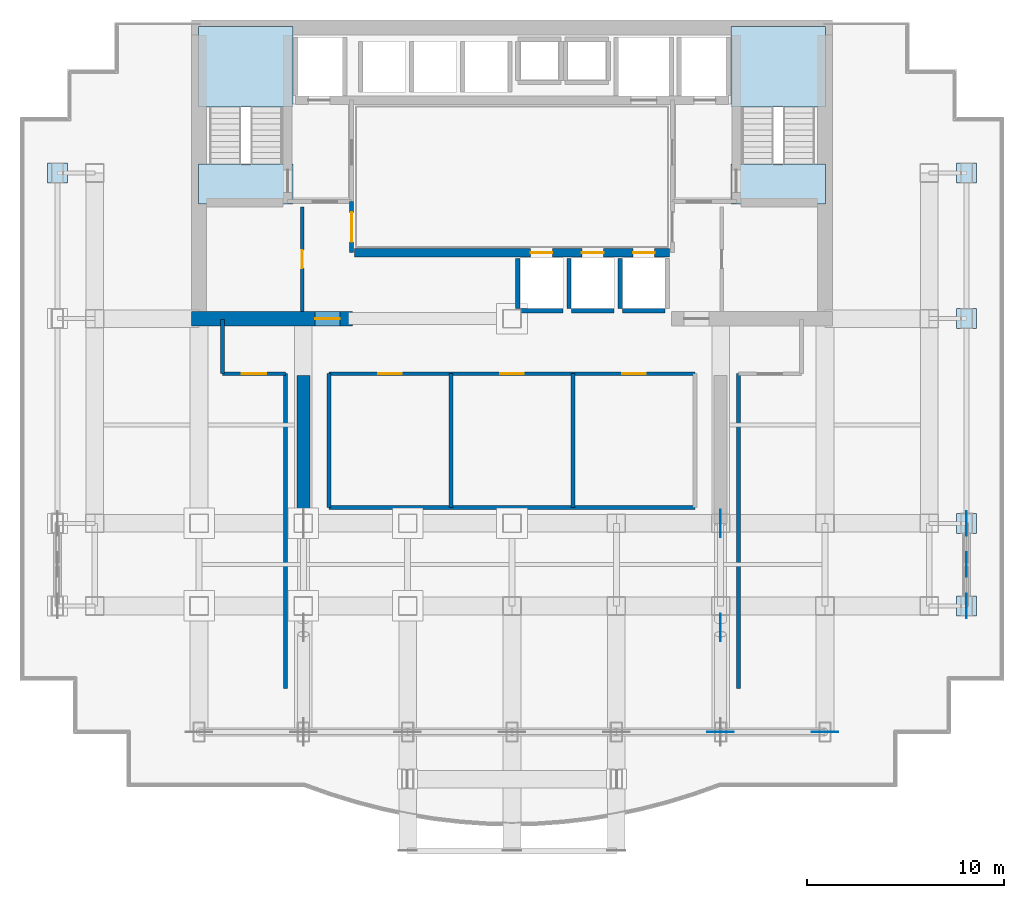
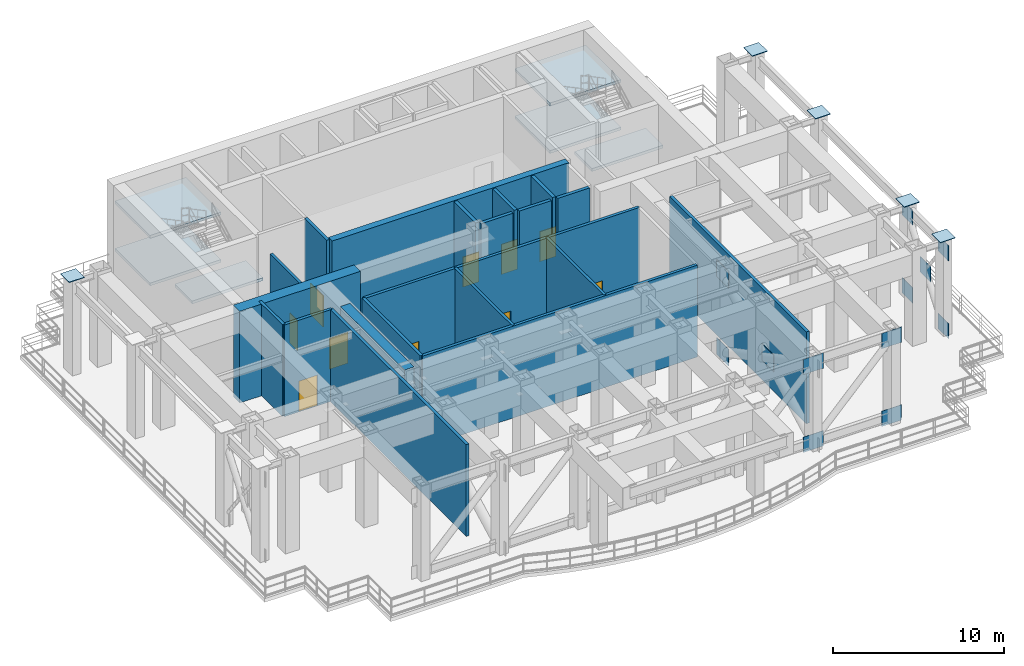
# One storey, part 3 of 8: 20 walls, 17 plates, 10 doors, 6 slabs, 10 openings, 2 elements without a shape of their own.
"""IFC4 building model written with IfcOpenShell, lengths in metres."""

from ifc_helpers import new_model, si_unit, direction, frame, frame_2d, origin, origin_2d, place, context, subcontext, project, spatial, polyline, rectangle, outline, extrude, source, transform, mapped, material, layer, layer_set, type_object, element, fill, aggregate, save


model = new_model("IFC4")

# Units and contexts
model_context = context("Model", 3, precision=1e-05, world=origin(), true_north=direction((0.0, 1.0)))
body_context = subcontext(model_context, "Body", "Model", "MODEL_VIEW")
ifc_project = project(units=[si_unit("LENGTHUNIT", "METRE"), si_unit("AREAUNIT", "SQUARE_METRE"), si_unit("VOLUMEUNIT", "CUBIC_METRE"), si_unit("PLANEANGLEUNIT", "RADIAN"), si_unit("MASSUNIT", "GRAM", prefix="KILO")], contexts=[model_context])

# Site, building, storey
site_placement = place(None, origin())
site = spatial("IfcSite", under=ifc_project, at=site_placement, CompositionType="ELEMENT")
building_placement = place(site_placement, origin())
building = spatial("IfcBuilding", under=site, at=building_placement, Name="Qianlan Lanfeng Residences", CompositionType="ELEMENT")
storey_placement = place(building_placement, frame((0.0, 0.0, 127.89990234375)))
storey = spatial("IfcBuildingStorey", under=building, at=storey_placement, Name="L35", CompositionType="ELEMENT", Elevation=127.89990234375)

# Stair, slabs
ifc_material_1 = material(Name="Concrete C42", Category="concrete")
stair_type = type_object("IfcStairType", Name="STR-MAIN", PredefinedType="HALF_TURN_STAIR", material=ifc_material_1)
stair_1_placement = place(storey_placement, origin())
stair_1 = element("IfcStair", 1, at=stair_1_placement, inside=storey, type_object=stair_type, Name="L35 Exit Stair ST-1", PredefinedType="HALF_TURN_STAIR")
ifc_layer_1 = layer(ifc_material_1, 0.179931640625)
ifc_layer_set_1 = layer_set([ifc_layer_1], Name="Concrete C42")
slab_type = type_object("IfcSlabType", Name="S-LND-180", PredefinedType="LANDING", material=ifc_layer_set_1)
slab_1_placement = place(storey_placement, frame((0.0, 0.0, 1.5)))
slab_1 = element("IfcSlab", 2, at=slab_1_placement, type_object=slab_type, Name="ST-1 landing 1", PredefinedType="LANDING", context=body_context, shape_type="SweptSolid", body=[
    extrude(outline(polyline([(10.580078125, 35.949951171875), (15.3798828125, 35.949951171875), (15.3798828125, 40.050048828125), (10.580078125, 40.050048828125), (10.580078125, 35.949951171875)])), origin(), (0.0, 0.0, 1.0), 0.2001953125),
])
slab_2_placement = place(storey_placement, frame((0.0, 0.0, 3.2001953125)))
slab_2 = element("IfcSlab", 3, at=slab_2_placement, type_object=slab_type, Name="ST-1 landing 2", PredefinedType="LANDING", context=body_context, shape_type="SweptSolid", body=[
    extrude(outline(polyline([(10.580078125, 31.02001953125), (15.3798828125, 31.02001953125), (15.3798828125, 33.050048828125), (10.580078125, 33.050048828125), (10.580078125, 31.02001953125)])), origin(), (0.0, 0.0, 1.0), 0.199951171875),
])
slab_3_placement = place(storey_placement, frame((0.0, 0.0, 4.900146484375)))
slab_3 = element("IfcSlab", 4, at=slab_3_placement, type_object=slab_type, Name="ST-1 landing 3", PredefinedType="LANDING", context=body_context, shape_type="SweptSolid", body=[
    extrude(outline(polyline([(10.580078125, 35.949951171875), (15.3798828125, 35.949951171875), (15.3798828125, 40.050048828125), (10.580078125, 40.050048828125), (10.580078125, 35.949951171875)])), origin(), (0.0, 0.0, 1.0), 0.199951171875),
])
aggregate(stair_1, [slab_1, slab_2, slab_3])

stair_2_placement = place(storey_placement, origin())
stair_2 = element("IfcStair", 5, at=stair_2_placement, inside=storey, type_object=stair_type, Name="L35 Exit Stair ST-2", PredefinedType="HALF_TURN_STAIR")
slab_4_placement = place(storey_placement, frame((0.0, 0.0, 1.5)))
slab_4 = element("IfcSlab", 6, at=slab_4_placement, type_object=slab_type, Name="ST-2 landing 1", PredefinedType="LANDING", context=body_context, shape_type="SweptSolid", body=[
    extrude(outline(polyline([(37.6201171875, 35.949951171875), (42.419921875, 35.949951171875), (42.419921875, 40.050048828125), (37.6201171875, 40.050048828125), (37.6201171875, 35.949951171875)])), origin(), (0.0, 0.0, 1.0), 0.2001953125),
])
slab_5_placement = place(storey_placement, frame((0.0, 0.0, 3.2001953125)))
slab_5 = element("IfcSlab", 7, at=slab_5_placement, type_object=slab_type, Name="ST-2 landing 2", PredefinedType="LANDING", context=body_context, shape_type="SweptSolid", body=[
    extrude(outline(polyline([(37.6201171875, 31.02001953125), (42.419921875, 31.02001953125), (42.419921875, 33.050048828125), (37.6201171875, 33.050048828125), (37.6201171875, 31.02001953125)])), origin(), (0.0, 0.0, 1.0), 0.199951171875),
])
slab_6_placement = place(storey_placement, frame((0.0, 0.0, 4.900146484375)))
slab_6 = element("IfcSlab", 8, at=slab_6_placement, type_object=slab_type, Name="ST-2 landing 3", PredefinedType="LANDING", context=body_context, shape_type="SweptSolid", body=[
    extrude(outline(polyline([(37.6201171875, 35.949951171875), (42.419921875, 35.949951171875), (42.419921875, 40.050048828125), (37.6201171875, 40.050048828125), (37.6201171875, 35.949951171875)])), origin(), (0.0, 0.0, 1.0), 0.199951171875),
])
aggregate(stair_2, [slab_4, slab_5, slab_6])

# Plates
ifc_material_2 = material(Name="Steel SM570 (420 MPa)", Category="steel")
ifc_layer_2 = layer(ifc_material_2, 0.0400390625)
ifc_layer_set_2 = layer_set([ifc_layer_2], Name="Steel SM570 (420 MPa)")
plate_type_1 = type_object("IfcPlateType", Name="PL-CAP-40", PredefinedType="USERDEFINED", material=ifc_layer_set_2)
shared_shape_1 = source(origin(), body_context, "Body", "SweptSolid", [
    extrude(rectangle(XDim=1.02001953125, YDim=1.02001953125, at=origin_2d()), origin(), (0.0, 0.0, 1.0), 0.0400390625),
])
for number, where, z_axis, x_axis, name in (
    (9, (3.39990234375, 32.60009765625, 6.760009765625), (0.0, 0.0, 1.0), (1.0, 0.0, 0.0), "L35 Box Column Top Closure Cap Plate W_3.40_32.60"),
    (10, (49.60009765625, 10.60009765625, 6.760009765625), (0.0, 0.0, 1.0), (1.0, 0.0, 0.0), "L35 Box Column Top Closure Cap Plate W_49.60_10.60"),
    (11, (49.60009765625, 14.800048828125, 6.760009765625), (0.0, 0.0, 1.0), (1.0, 0.0, 0.0), "L35 Box Column Top Closure Cap Plate W_49.60_14.80"),
    (12, (49.60009765625, 25.199951171875, 6.760009765625), (0.0, 0.0, 1.0), (1.0, 0.0, 0.0), "L35 Box Column Top Closure Cap Plate W_49.60_25.20"),
    (13, (49.60009765625, 32.60009765625, 6.760009765625), (0.0, 0.0, 1.0), (1.0, 0.0, 0.0), "L35 Box Column Top Closure Cap Plate W_49.60_32.60"),
):
    element("IfcPlate", number, at=place(storey_placement, frame(where, z_axis=z_axis, x_axis=x_axis)), inside=storey, type_object=plate_type_1, Name=name, ObjectType="SPLICE_PLATE", PredefinedType="USERDEFINED", context=body_context, shape_type="MappedRepresentation", body=[
        mapped(shared_shape_1, transform((0.0, 0.0, 0.0), scale=1.0)),
    ])
ifc_material_3 = material(Name="Steel SN490B", Category="steel")
ifc_layer_3 = layer(ifc_material_3, 0.035888671875)
ifc_layer_set_3 = layer_set([ifc_layer_3], Name="Steel SN490B")
plate_type_2 = type_object("IfcPlateType", Name="NP-GUS-36", PredefinedType="USERDEFINED", material=ifc_layer_set_3)
shared_shape_2 = source(origin(), body_context, "Body", "SweptSolid", [
    extrude(rectangle(XDim=0.035888671875, YDim=1.39990234375, at=origin_2d()), origin(), (0.0, 0.0, 1.0), 1.199951171875),
])
for number, where, z_axis, x_axis, name in (
    (14, (37.10009765625, 9.5, 2.5302734375), (0.0, 0.0, 1.0), (1.0, 0.0, 0.0), "L35 Outrigger X-Brace Central Gusset Plate G8-XC"),
    (15, (37.10009765625, 14.800048828125, -0.25), (0.0, 0.0, 1.0), (1.0, 0.0, 0.0), "L35 Outrigger End Gusset Plate G8-NB"),
    (16, (37.10009765625, 14.800048828125, 5.31005859375), (0.0, 0.0, 1.0), (1.0, 0.0, 0.0), "L35 Outrigger End Gusset Plate G8-NT"),
):
    element("IfcPlate", number, at=place(storey_placement, frame(where, z_axis=z_axis, x_axis=x_axis)), inside=storey, type_object=plate_type_2, Name=name, ObjectType="GUSSET", PredefinedType="USERDEFINED", context=body_context, shape_type="MappedRepresentation", body=[
        mapped(shared_shape_2, transform((0.0, 0.0, 0.0), scale=1.0)),
    ])
ifc_layer_4 = layer(ifc_material_3, 0.028076171875)
ifc_layer_set_4 = layer_set([ifc_layer_4], Name="Steel SN490B")
plate_type_3 = type_object("IfcPlateType", Name="NP-GUS-28", PredefinedType="USERDEFINED", material=ifc_layer_set_4)
shared_shape_3 = source(origin(), body_context, "Body", "SweptSolid", [
    extrude(rectangle(XDim=1.35009765625, YDim=0.028076171875, at=origin_2d()), origin(), (0.0, 0.0, 1.0), 1.10009765625),
])
for number, where, z_axis, x_axis, name in (
    (17, (37.10009765625, 4.199951171875, -0.199951171875), (0.0, 0.0, 1.0), (1.0, 0.0, 0.0), "L35 Belt Truss End Gusset Plate B6"),
    (18, (37.10009765625, 4.199951171875, 5.360107421875), (0.0, 0.0, 1.0), (1.0, 0.0, 0.0), "L35 Belt Truss End Gusset Plate T6"),
    (19, (42.39990234375, 4.199951171875, -0.199951171875), (0.0, 0.0, 1.0), (1.0, 0.0, 0.0), "L35 Belt Truss End Gusset Plate B7"),
    (20, (42.39990234375, 4.199951171875, 5.360107421875), (0.0, 0.0, 1.0), (1.0, 0.0, 0.0), "L35 Belt Truss End Gusset Plate T7"),
):
    element("IfcPlate", number, at=place(storey_placement, frame(where, z_axis=z_axis, x_axis=x_axis)), inside=storey, type_object=plate_type_3, Name=name, ObjectType="GUSSET", PredefinedType="USERDEFINED", context=body_context, shape_type="MappedRepresentation", body=[
        mapped(shared_shape_3, transform((0.0, 0.0, 0.0), scale=1.0)),
    ])
ifc_layer_5 = layer(ifc_material_3, 0.028076171875)
ifc_layer_set_5 = layer_set([ifc_layer_5], Name="Steel SN490B")
plate_type_4 = type_object("IfcPlateType", Name="NP-GUS-24", PredefinedType="USERDEFINED", material=ifc_layer_set_5)
shared_shape_4 = source(origin(), body_context, "Body", "SweptSolid", [
    extrude(rectangle(XDim=0.028076171875, YDim=1.25, at=origin_2d()), origin(), (0.0, 0.0, 1.0), 1.10009765625),
])
for number, where, z_axis, x_axis, name in (
    (21, (49.60009765625, 12.699951171875, 2.580078125), (0.0, 0.0, 1.0), (1.0, 0.0, 0.0), "L35 E Portal X-Brace Central Gusset Plate"),
    (22, (49.60009765625, 10.60009765625, -0.199951171875), (0.0, 0.0, 1.0), (1.0, 0.0, 0.0), "L35 E Portal End Gusset Plate SB"),
    (23, (49.60009765625, 10.60009765625, 5.360107421875), (0.0, 0.0, 1.0), (1.0, 0.0, 0.0), "L35 E Portal End Gusset Plate ST"),
    (24, (49.60009765625, 14.800048828125, -0.199951171875), (0.0, 0.0, 1.0), (1.0, 0.0, 0.0), "L35 E Portal End Gusset Plate NB"),
    (25, (49.60009765625, 14.800048828125, 5.360107421875), (0.0, 0.0, 1.0), (1.0, 0.0, 0.0), "L35 E Portal End Gusset Plate NT"),
):
    element("IfcPlate", number, at=place(storey_placement, frame(where, z_axis=z_axis, x_axis=x_axis)), inside=storey, type_object=plate_type_4, Name=name, ObjectType="GUSSET", PredefinedType="USERDEFINED", context=body_context, shape_type="MappedRepresentation", body=[
        mapped(shared_shape_4, transform((0.0, 0.0, 0.0), scale=1.0)),
    ])

# Wall, openings, doors
ifc_material_4 = material(Name="Concrete C60", Category="concrete")
ifc_layer_6 = layer(ifc_material_4, 0.449951171875)
ifc_layer_set_6 = layer_set([ifc_layer_6], Name="Concrete C60")
wall_type_1 = type_object("IfcWallType", Name="CW-RC-450", PredefinedType="SHEAR", material=ifc_layer_set_6)
wall_1_placement = place(storey_placement, frame((18.5, 28.550048828125, 0.0), z_axis=(0.0, 0.0, 1.0), x_axis=(1.0, 0.0, 0.0)))
wall_1 = element("IfcWall", 26, at=wall_1_placement, inside=storey, type_object=wall_type_1, Name="L35 Core Shear Wall LBS", PredefinedType="SHEAR", context=body_context, shape_type="SweptSolid", body=[
    extrude(rectangle(XDim=16.0, YDim=0.449951171875, at=frame_2d((8.0, 0.0))), origin(), (0.0, 0.0, 1.0), 6.56005859375),
])
opening_1_placement = place(wall_1_placement, frame((8.949951171875, 0.0, 0.0)))
opening_1 = element("IfcOpeningElement", 27, at=opening_1_placement, cuts=wall_1, Name="Opening L35-LD-PL-M1", PredefinedType="OPENING", context=body_context, shape_type="SweptSolid", body=[
    extrude(rectangle(XDim=1.10009765625, YDim=2.14990234375, at=frame_2d((0.550048828125, 1.074951171875))), frame((0.0, 0.23486328125, 0.0), z_axis=(0.0, -1.0, 0.0), x_axis=(1.0, 0.0, 0.0)), (0.0, 0.0, 1.0), 0.469970703125),
])
opening_2_placement = place(wall_1_placement, frame((11.550048828125, 0.0, 0.0)))
opening_2 = element("IfcOpeningElement", 28, at=opening_2_placement, cuts=wall_1, Name="Opening L35-LD-PL-M2", PredefinedType="OPENING", context=body_context, shape_type="SweptSolid", body=[
    extrude(rectangle(XDim=1.10009765625, YDim=2.14990234375, at=frame_2d((0.550048828125, 1.074951171875))), frame((0.0, 0.23486328125, 0.0), z_axis=(0.0, -1.0, 0.0), x_axis=(1.0, 0.0, 0.0)), (0.0, 0.0, 1.0), 0.469970703125),
])
opening_3_placement = place(wall_1_placement, frame((14.14990234375, 0.0, 0.0)))
opening_3 = element("IfcOpeningElement", 29, at=opening_3_placement, cuts=wall_1, Name="Opening L35-LD-PL-M3", PredefinedType="OPENING", context=body_context, shape_type="SweptSolid", body=[
    extrude(rectangle(XDim=1.10009765625, YDim=2.14990234375, at=frame_2d((0.550048828125, 1.074951171875))), frame((0.0, 0.23486328125, 0.0), z_axis=(0.0, -1.0, 0.0), x_axis=(1.0, 0.0, 0.0)), (0.0, 0.0, 1.0), 0.469970703125),
])
ifc_material_5 = material(Name="Brushed Stainless Steel Sliding Lift Door", Category="steel")
door_type_1 = type_object("IfcDoorType", Name="LD-01", OperationType="NOTDEFINED", PredefinedType="DOOR", material=ifc_material_5)
door_1_placement = place(opening_1_placement, origin())
door_1 = element("IfcDoor", 30, at=door_1_placement, inside=storey, type_object=door_type_1, Name="L35 Elevator PL-M1 Sliding Landing Door", OperationType="DOUBLE_DOOR_SLIDING", OverallHeight=2.14990234375, OverallWidth=1.10009765625, PredefinedType="DOOR", context=body_context, shape_type="SweptSolid", body=[
    extrude(rectangle(XDim=1.10009765625, YDim=2.14990234375, at=frame_2d((0.550048828125, 1.074951171875))), frame((0.0, 0.02490234375, 0.0), z_axis=(0.0, -1.0, 0.0), x_axis=(1.0, 0.0, 0.0)), (0.0, 0.0, 1.0), 0.050048828125),
])
fill(opening_1, door_1)
door_2_placement = place(opening_2_placement, origin())
door_2 = element("IfcDoor", 31, at=door_2_placement, inside=storey, type_object=door_type_1, Name="L35 Elevator PL-M2 Sliding Landing Door", OperationType="DOUBLE_DOOR_SLIDING", OverallHeight=2.14990234375, OverallWidth=1.10009765625, PredefinedType="DOOR", context=body_context, shape_type="SweptSolid", body=[
    extrude(rectangle(XDim=1.10009765625, YDim=2.14990234375, at=frame_2d((0.550048828125, 1.074951171875))), frame((0.0, 0.02490234375, 0.0), z_axis=(0.0, -1.0, 0.0), x_axis=(1.0, 0.0, 0.0)), (0.0, 0.0, 1.0), 0.050048828125),
])
fill(opening_2, door_2)
door_3_placement = place(opening_3_placement, origin())
door_3 = element("IfcDoor", 32, at=door_3_placement, inside=storey, type_object=door_type_1, Name="L35 Elevator PL-M3 Sliding Landing Door", OperationType="DOUBLE_DOOR_SLIDING", OverallHeight=2.14990234375, OverallWidth=1.10009765625, PredefinedType="DOOR", context=body_context, shape_type="SweptSolid", body=[
    extrude(rectangle(XDim=1.10009765625, YDim=2.14990234375, at=frame_2d((0.550048828125, 1.074951171875))), frame((0.0, 0.02490234375, 0.0), z_axis=(0.0, -1.0, 0.0), x_axis=(1.0, 0.0, 0.0)), (0.0, 0.0, 1.0), 0.050048828125),
])
fill(opening_3, door_3)

# Wall, opening, door
ifc_layer_7 = layer(ifc_material_4, 0.75)
ifc_layer_set_7 = layer_set([ifc_layer_7], Name="Concrete C60")
wall_type_2 = type_object("IfcWallType", Name="CW-RC-750", PredefinedType="SHEAR", material=ifc_layer_set_7)
wall_2_placement = place(storey_placement, frame((10.22509765625, 25.199951171875, 0.0), z_axis=(0.0, 0.0, 1.0), x_axis=(1.0, 0.0, 0.0)))
wall_2 = element("IfcWall", 33, at=wall_2_placement, inside=storey, type_object=wall_type_2, Name="L35 Core Shear Wall SW", PredefinedType="SHEAR", context=body_context, shape_type="SweptSolid", body=[
    extrude(rectangle(XDim=8.1748046875, YDim=0.75, at=frame_2d((4.08740234375, 0.0))), origin(), (0.0, 0.0, 1.0), 6.56005859375),
])
opening_4_placement = place(wall_2_placement, frame((6.27490234375, 0.0, 0.0)))
opening_4 = element("IfcOpeningElement", 34, at=opening_4_placement, cuts=wall_2, Name="Opening L35-D01", PredefinedType="OPENING", context=body_context, shape_type="SweptSolid", body=[
    extrude(rectangle(XDim=1.25, YDim=2.199951171875, at=frame_2d((0.625, 1.10009765625))), frame((0.0, 0.385009765625, 0.0), z_axis=(0.0, -1.0, 0.0), x_axis=(1.0, 0.0, 0.0)), (0.0, 0.0, 1.0), 0.77001953125),
])
ifc_material_6 = material(Name="Painted Galvanised Steel Fire Door", Category="steel")
door_type_2 = type_object("IfcDoorType", Name="DT-FFL", OperationType="NOTDEFINED", PredefinedType="DOOR", material=ifc_material_6)
door_4_placement = place(opening_4_placement, frame((1.25, 0.0, 0.0), z_axis=(0.0, 0.0, 1.0), x_axis=(-1.0, 0.0, 0.0)))
door_4 = element("IfcDoor", 35, at=door_4_placement, inside=storey, type_object=door_type_2, Name="L35 West Core Lobby Smoke Door L35-D01 (DT-FFL)", OperationType="SINGLE_SWING_RIGHT", OverallHeight=2.199951171875, OverallWidth=1.25, PredefinedType="DOOR", context=body_context, shape_type="SweptSolid", body=[
    extrude(rectangle(XDim=1.25, YDim=2.199951171875, at=frame_2d((0.625, 1.10009765625))), frame((0.0, 0.02490234375, 0.0), z_axis=(0.0, -1.0, 0.0), x_axis=(1.0, 0.0, 0.0)), (0.0, 0.0, 1.0), 0.050048828125),
])
fill(opening_4, door_4)

# Wall
ifc_layer_8 = layer(ifc_material_4, 0.64990234375)
ifc_layer_set_8 = layer_set([ifc_layer_8], Name="Concrete C60")
wall_type_3 = type_object("IfcWallType", Name="OW-RC-650", PredefinedType="SHEAR", material=ifc_layer_set_8)
wall_3_placement = place(storey_placement, frame((15.89990234375, 14.800048828125, 0.0), z_axis=(0.0, 0.0, 1.0), x_axis=(0.0, 1.0, 0.0)))
element("IfcWall", 36, at=wall_3_placement, inside=storey, type_object=wall_type_3, Name="L35 Outrigger Shear Wall OW-W", PredefinedType="SHEAR", context=body_context, shape_type="SweptSolid", body=[
    extrude(rectangle(XDim=7.5, YDim=0.64990234375, at=frame_2d((3.75, 0.0))), origin(), (0.0, 0.0, 1.0), 6.56005859375),
])

# Wall, opening, door
ifc_material_7 = material(Name="Double-Layer Acoustic Gypsum Stud Wall 180 mm")
ifc_layer_9 = layer(ifc_material_7, 0.179931640625)
ifc_layer_set_9 = layer_set([ifc_layer_9], Name="Double-Layer Acoustic Gypsum Stud Wall 180 mm")
wall_type_4 = type_object("IfcWallType", Name="PW-180", PredefinedType="PARTITIONING", material=ifc_layer_set_9)
wall_4_placement = place(storey_placement, frame((15.85009765625, 25.574951171875, 0.0), z_axis=(0.0, 0.0, 1.0), x_axis=(0.0, 1.0, 0.0)))
wall_4 = element("IfcWall", 37, at=wall_4_placement, inside=storey, type_object=wall_type_4, Name="L35 Core West Service Room Wall", PredefinedType="PARTITIONING", context=body_context, shape_type="SweptSolid", body=[
    extrude(rectangle(XDim=5.300048828125, YDim=0.179931640625, at=frame_2d((2.64990234375, 0.0))), origin(), (0.0, 0.0, 1.0), 5.05517578125),
])
opening_5_placement = place(wall_4_placement, frame((2.18994140625, 0.0, 0.0)))
opening_5 = element("IfcOpeningElement", 38, at=opening_5_placement, cuts=wall_4, Name="Opening L35-D09", PredefinedType="OPENING", context=body_context, shape_type="SweptSolid", body=[
    extrude(rectangle(XDim=0.919921875, YDim=2.14990234375, at=frame_2d((0.4599609375, 1.074951171875))), frame((0.0, 0.10009765625, 0.0), z_axis=(0.0, -1.0, 0.0), x_axis=(1.0, 0.0, 0.0)), (0.0, 0.0, 1.0), 0.199951171875),
])
ifc_material_8 = material(Name="Glazed Timber Kitchen/Study Door", Category="wood")
door_type_3 = type_object("IfcDoorType", Name="DT-INT", OperationType="NOTDEFINED", PredefinedType="DOOR", material=ifc_material_8)
door_5_placement = place(opening_5_placement, origin())
door_5 = element("IfcDoor", 39, at=door_5_placement, inside=storey, type_object=door_type_3, Name="L35 Core Storage Door L35-D09 (DT-INT)", OperationType="SINGLE_SWING_LEFT", OverallHeight=2.14990234375, OverallWidth=0.919921875, PredefinedType="DOOR", context=body_context, shape_type="SweptSolid", body=[
    extrude(rectangle(XDim=0.919921875, YDim=2.14990234375, at=frame_2d((0.4599609375, 1.074951171875))), frame((0.0, 0.02490234375, 0.0), z_axis=(0.0, -1.0, 0.0), x_axis=(1.0, 0.0, 0.0)), (0.0, 0.0, 1.0), 0.050048828125),
])
fill(opening_5, door_5)

# Walls
for number, where, z_axis, x_axis, name in (
    (40, (23.39990234375, 15.60009765625, 0.0), (0.0, 0.0, 1.0), (0.0, 1.0, 0.0), "L35 Plant Divider 1"),
    (41, (29.60009765625, 15.60009765625, 0.0), (0.0, 0.0, 1.0), (0.0, 1.0, 0.0), "L35 Plant Divider 2"),
):
    element("IfcWall", number, at=place(storey_placement, frame(where, z_axis=z_axis, x_axis=x_axis)), inside=storey, type_object=wall_type_4, Name=name, PredefinedType="PARTITIONING", context=body_context, shape_type="SweptSolid", body=[
        extrude(rectangle(XDim=6.7998046875, YDim=0.179931640625, at=frame_2d((3.39990234375, 0.0))), origin(), (0.0, 0.0, 1.0), 6.56005859375),
    ])

# Wall, opening, door
ifc_material_9 = material(Name="Autoclaved Aerated Concrete Blockwork 200 mm", Category="masonry")
ifc_layer_10 = layer(ifc_material_9, 0.199951171875)
ifc_layer_set_10 = layer_set([ifc_layer_10], Name="Autoclaved Aerated Concrete Blockwork 200 mm")
wall_type_5 = type_object("IfcWallType", Name="PW-200", PredefinedType="PARTITIONING", material=ifc_layer_set_10)
wall_5_placement = place(storey_placement, frame((18.35009765625, 28.550048828125, 0.0), z_axis=(0.0, 0.0, 1.0), x_axis=(0.0, 1.0, 0.0)))
wall_5 = element("IfcWall", 42, at=wall_5_placement, inside=storey, type_object=wall_type_5, Name="L35 Lift Lobby West Connector Wall", PredefinedType="PARTITIONING", context=body_context, shape_type="SweptSolid", body=[
    extrude(rectangle(XDim=2.599853515625, YDim=0.199951171875, at=frame_2d((1.2998046875, 0.0))), origin(), (0.0, 0.0, 1.0), 6.56005859375),
])
opening_6_placement = place(wall_5_placement, frame((0.550048828125, 0.0, 0.0)))
opening_6 = element("IfcOpeningElement", 43, at=opening_6_placement, cuts=wall_5, Name="Opening L35-D11", PredefinedType="OPENING", context=body_context, shape_type="SweptSolid", body=[
    extrude(rectangle(XDim=1.5, YDim=2.25, at=frame_2d((0.75, 1.125))), frame((0.0, 0.10986328125, 0.0), z_axis=(0.0, -1.0, 0.0), x_axis=(1.0, 0.0, 0.0)), (0.0, 0.0, 1.0), 0.219970703125),
])
ifc_material_10 = material(Name="Timber Veneer Acoustic Fire Door", Category="wood")
door_type_4 = type_object("IfcDoorType", Name="DT-COR1", OperationType="NOTDEFINED", PredefinedType="DOOR", material=ifc_material_10)
door_6_placement = place(opening_6_placement, origin())
door_6 = element("IfcDoor", 44, at=door_6_placement, inside=storey, type_object=door_type_4, Name="L35 Lift Lobby West Portal Door L35-D11 (DT-COR1)", OperationType="DOUBLE_DOOR_SINGLE_SWING", OverallHeight=2.25, OverallWidth=1.5, PredefinedType="DOOR", context=body_context, shape_type="SweptSolid", body=[
    extrude(rectangle(XDim=1.5, YDim=2.25, at=frame_2d((0.75, 1.125))), frame((0.0, 0.02490234375, 0.0), z_axis=(0.0, -1.0, 0.0), x_axis=(1.0, 0.0, 0.0)), (0.0, 0.0, 1.0), 0.050048828125),
])
fill(opening_6, door_6)

# Wall, openings, doors
wall_6_placement = place(storey_placement, frame((17.199951171875, 22.39990234375, 0.0), z_axis=(0.0, 0.0, 1.0), x_axis=(1.0, 0.0, 0.0)))
wall_6 = element("IfcWall", 45, at=wall_6_placement, inside=storey, type_object=wall_type_5, Name="L35 Plant Block North Wall", PredefinedType="PARTITIONING", context=body_context, shape_type="SweptSolid", body=[
    extrude(rectangle(XDim=18.60009765625, YDim=0.199951171875, at=frame_2d((9.300048828125, 0.0))), origin(), (0.0, 0.0, 1.0), 6.56005859375),
])
opening_7_placement = place(wall_6_placement, frame((2.5, 0.0, 0.0)))
opening_7 = element("IfcOpeningElement", 46, at=opening_7_placement, cuts=wall_6, Name="Opening L35-D13", PredefinedType="OPENING", context=body_context, shape_type="SweptSolid", body=[
    extrude(rectangle(XDim=1.199951171875, YDim=2.199951171875, at=frame_2d((0.60009765625, 1.10009765625))), frame((0.0, 0.10986328125, 0.0), z_axis=(0.0, -1.0, 0.0), x_axis=(1.0, 0.0, 0.0)), (0.0, 0.0, 1.0), 0.219970703125),
])
opening_8_placement = place(wall_6_placement, frame((8.699951171875, 0.0, 0.0)))
opening_8 = element("IfcOpeningElement", 47, at=opening_8_placement, cuts=wall_6, Name="Opening L35-D14", PredefinedType="OPENING", context=body_context, shape_type="SweptSolid", body=[
    extrude(rectangle(XDim=1.199951171875, YDim=2.199951171875, at=frame_2d((0.60009765625, 1.10009765625))), frame((0.0, 0.10986328125, 0.0), z_axis=(0.0, -1.0, 0.0), x_axis=(1.0, 0.0, 0.0)), (0.0, 0.0, 1.0), 0.219970703125),
])
opening_9_placement = place(wall_6_placement, frame((14.89990234375, 0.0, 0.0)))
opening_9 = element("IfcOpeningElement", 48, at=opening_9_placement, cuts=wall_6, Name="Opening L35-D15", PredefinedType="OPENING", context=body_context, shape_type="SweptSolid", body=[
    extrude(rectangle(XDim=1.199951171875, YDim=2.199951171875, at=frame_2d((0.60009765625, 1.10009765625))), frame((0.0, 0.10986328125, 0.0), z_axis=(0.0, -1.0, 0.0), x_axis=(1.0, 0.0, 0.0)), (0.0, 0.0, 1.0), 0.219970703125),
])
ifc_material_11 = material(Name="Painted Galvanised Steel Plant Door", Category="steel")
door_type_5 = type_object("IfcDoorType", Name="DT-PLT", OperationType="NOTDEFINED", PredefinedType="DOOR", material=ifc_material_11)
door_7_placement = place(opening_7_placement, origin())
door_7 = element("IfcDoor", 49, at=door_7_placement, inside=storey, type_object=door_type_5, Name="L35 Mechanical Fan Room Door L35-D13 (DT-PLT)", OperationType="SINGLE_SWING_LEFT", OverallHeight=2.199951171875, OverallWidth=1.199951171875, PredefinedType="DOOR", context=body_context, shape_type="SweptSolid", body=[
    extrude(rectangle(XDim=1.199951171875, YDim=2.199951171875, at=frame_2d((0.60009765625, 1.10009765625))), frame((0.0, 0.02490234375, 0.0), z_axis=(0.0, -1.0, 0.0), x_axis=(1.0, 0.0, 0.0)), (0.0, 0.0, 1.0), 0.050048828125),
])
fill(opening_7, door_7)
door_8_placement = place(opening_8_placement, origin())
door_8 = element("IfcDoor", 50, at=door_8_placement, inside=storey, type_object=door_type_5, Name="L35 Electrical Switchroom Door L35-D14 (DT-PLT)", OperationType="SINGLE_SWING_RIGHT", OverallHeight=2.199951171875, OverallWidth=1.199951171875, PredefinedType="DOOR", context=body_context, shape_type="SweptSolid", body=[
    extrude(rectangle(XDim=1.199951171875, YDim=2.199951171875, at=frame_2d((0.60009765625, 1.10009765625))), frame((0.0, 0.02490234375, 0.0), z_axis=(0.0, -1.0, 0.0), x_axis=(1.0, 0.0, 0.0)), (0.0, 0.0, 1.0), 0.050048828125),
])
fill(opening_8, door_8)
door_9_placement = place(opening_9_placement, origin())
door_9 = element("IfcDoor", 51, at=door_9_placement, inside=storey, type_object=door_type_5, Name="L35 Domestic Booster Pump Door L35-D15 (DT-PLT)", OperationType="SINGLE_SWING_LEFT", OverallHeight=2.199951171875, OverallWidth=1.199951171875, PredefinedType="DOOR", context=body_context, shape_type="SweptSolid", body=[
    extrude(rectangle(XDim=1.199951171875, YDim=2.199951171875, at=frame_2d((0.60009765625, 1.10009765625))), frame((0.0, 0.02490234375, 0.0), z_axis=(0.0, -1.0, 0.0), x_axis=(1.0, 0.0, 0.0)), (0.0, 0.0, 1.0), 0.050048828125),
])
fill(opening_9, door_9)

# Walls
wall_7_placement = place(storey_placement, frame((17.199951171875, 15.60009765625, 0.0), z_axis=(0.0, 0.0, 1.0), x_axis=(1.0, 0.0, 0.0)))
element("IfcWall", 52, at=wall_7_placement, inside=storey, type_object=wall_type_5, Name="L35 Plant Block South Wall", PredefinedType="PARTITIONING", context=body_context, shape_type="SweptSolid", body=[
    extrude(rectangle(XDim=18.60009765625, YDim=0.199951171875, at=frame_2d((9.300048828125, 0.0))), origin(), (0.0, 0.0, 1.0), 6.56005859375),
])
wall_8_placement = place(storey_placement, frame((17.199951171875, 15.60009765625, 0.0), z_axis=(0.0, 0.0, 1.0), x_axis=(0.0, 1.0, 0.0)))
element("IfcWall", 53, at=wall_8_placement, inside=storey, type_object=wall_type_5, Name="L35 Plant Block West Wall", PredefinedType="PARTITIONING", context=body_context, shape_type="SweptSolid", body=[
    extrude(rectangle(XDim=6.7998046875, YDim=0.199951171875, at=frame_2d((3.39990234375, 0.0))), origin(), (0.0, 0.0, 1.0), 6.56005859375),
])

# Wall, opening, door
wall_9_placement = place(storey_placement, frame((11.800048828125, 22.39990234375, 0.0), z_axis=(0.0, 0.0, 1.0), x_axis=(1.0, 0.0, 0.0)))
wall_9 = element("IfcWall", 54, at=wall_9_placement, inside=storey, type_object=wall_type_5, Name="L35 West Refuge Exit Wall", PredefinedType="PARTITIONING", context=body_context, shape_type="SweptSolid", body=[
    extrude(rectangle(XDim=3.199951171875, YDim=0.199951171875, at=frame_2d((1.60009765625, 0.0))), origin(), (0.0, 0.0, 1.0), 6.56005859375),
])
opening_10_placement = place(wall_9_placement, frame((0.97509765625, 0.0, 0.0)))
opening_10 = element("IfcOpeningElement", 55, at=opening_10_placement, cuts=wall_9, Name="Opening L35-D16", PredefinedType="OPENING", context=body_context, shape_type="SweptSolid", body=[
    extrude(rectangle(XDim=1.25, YDim=2.199951171875, at=frame_2d((0.625, 1.10009765625))), frame((0.0, 0.10986328125, 0.0), z_axis=(0.0, -1.0, 0.0), x_axis=(1.0, 0.0, 0.0)), (0.0, 0.0, 1.0), 0.219970703125),
])
door_10_placement = place(opening_10_placement, origin())
door_10 = element("IfcDoor", 56, at=door_10_placement, inside=storey, type_object=door_type_2, Name="L35 L35 West Refuge Area Smoke Door L35-D16 (DT-FFL)", OperationType="SINGLE_SWING_RIGHT", OverallHeight=2.199951171875, OverallWidth=1.25, PredefinedType="DOOR", context=body_context, shape_type="SweptSolid", body=[
    extrude(rectangle(XDim=1.25, YDim=2.199951171875, at=frame_2d((0.625, 1.10009765625))), frame((0.0, 0.02490234375, 0.0), z_axis=(0.0, -1.0, 0.0), x_axis=(1.0, 0.0, 0.0)), (0.0, 0.0, 1.0), 0.050048828125),
])
fill(opening_10, door_10)

# Walls
wall_10_placement = place(storey_placement, frame((11.800048828125, 22.39990234375, 0.0), z_axis=(0.0, 0.0, 1.0), x_axis=(0.0, 1.0, 0.0)))
element("IfcWall", 57, at=wall_10_placement, inside=storey, type_object=wall_type_5, Name="L35 West Refuge End Wall", PredefinedType="PARTITIONING", context=body_context, shape_type="SweptSolid", body=[
    extrude(rectangle(XDim=2.75, YDim=0.199951171875, at=frame_2d((1.375, 0.0))), origin(), (0.0, 0.0, 1.0), 6.56005859375),
])
for number, where, z_axis, x_axis, name in (
    (58, (15.0, 6.39990234375, 0.0), (0.0, 0.0, 1.0), (0.0, 1.0, 0.0), "L35 West Outrigger Zone Separation Wall"),
    (59, (38.0, 6.39990234375, 0.0), (0.0, 0.0, 1.0), (0.0, 1.0, 0.0), "L35 East Outrigger Zone Separation Wall"),
):
    element("IfcWall", number, at=place(storey_placement, frame(where, z_axis=z_axis, x_axis=x_axis)), inside=storey, type_object=wall_type_5, Name=name, PredefinedType="PARTITIONING", context=body_context, shape_type="SweptSolid", body=[
        extrude(rectangle(XDim=16.0, YDim=0.199951171875, at=frame_2d((8.0, 0.0))), origin(), (0.0, 0.0, 1.0), 6.56005859375),
    ])
ifc_material_12 = material(Name="Concrete C49", Category="concrete")
ifc_layer_11 = layer(ifc_material_12, 0.219970703125)
ifc_layer_set_11 = layer_set([ifc_layer_11], Name="Concrete C49")
wall_type_6 = type_object("IfcWallType", Name="SHW-220", PredefinedType="SOLIDWALL", material=ifc_layer_set_11)
wall_11_placement = place(storey_placement, frame((26.800048828125, 25.719970703125, 0.0), z_axis=(0.0, 0.0, 1.0), x_axis=(0.0, 1.0, 0.0)))
element("IfcWall", 60, at=wall_11_placement, inside=storey, type_object=wall_type_6, Name="L35 Lift PL-M1 Shaft Wall W", PredefinedType="SOLIDWALL", context=body_context, shape_type="SweptSolid", body=[
    extrude(rectangle(XDim=2.530029296875, YDim=0.219970703125, at=frame_2d((1.26513671875, 0.0))), origin(), (0.0, 0.0, 1.0), 6.56005859375),
])
wall_12_placement = place(storey_placement, frame((26.919921875, 25.60009765625, 0.0), z_axis=(0.0, 0.0, 1.0), x_axis=(1.0, 0.0, 0.0)))
element("IfcWall", 61, at=wall_12_placement, inside=storey, type_object=wall_type_6, Name="L35 Lift PL-M1 Shaft Back Wall S", PredefinedType="SOLIDWALL", context=body_context, shape_type="SweptSolid", body=[
    extrude(rectangle(XDim=2.16015625, YDim=0.219970703125, at=frame_2d((1.080078125, 0.0))), origin(), (0.0, 0.0, 1.0), 6.56005859375),
])
wall_13_placement = place(storey_placement, frame((29.39990234375, 25.719970703125, 0.0), z_axis=(0.0, 0.0, 1.0), x_axis=(0.0, 1.0, 0.0)))
element("IfcWall", 62, at=wall_13_placement, inside=storey, type_object=wall_type_6, Name="L35 Lift PL-M2 Shaft Wall W", PredefinedType="SOLIDWALL", context=body_context, shape_type="SweptSolid", body=[
    extrude(rectangle(XDim=2.530029296875, YDim=0.219970703125, at=frame_2d((1.26513671875, 0.0))), origin(), (0.0, 0.0, 1.0), 6.56005859375),
])
wall_14_placement = place(storey_placement, frame((29.52001953125, 25.60009765625, 0.0), z_axis=(0.0, 0.0, 1.0), x_axis=(1.0, 0.0, 0.0)))
element("IfcWall", 63, at=wall_14_placement, inside=storey, type_object=wall_type_6, Name="L35 Lift PL-M2 Shaft Back Wall S", PredefinedType="SOLIDWALL", context=body_context, shape_type="SweptSolid", body=[
    extrude(rectangle(XDim=2.159912109375, YDim=0.219970703125, at=frame_2d((1.080078125, 0.0))), origin(), (0.0, 0.0, 1.0), 6.56005859375),
])
wall_15_placement = place(storey_placement, frame((32.0, 25.719970703125, 0.0), z_axis=(0.0, 0.0, 1.0), x_axis=(0.0, 1.0, 0.0)))
element("IfcWall", 64, at=wall_15_placement, inside=storey, type_object=wall_type_6, Name="L35 Lift PL-M3 Shaft Wall W", PredefinedType="SOLIDWALL", context=body_context, shape_type="SweptSolid", body=[
    extrude(rectangle(XDim=2.530029296875, YDim=0.219970703125, at=frame_2d((1.26513671875, 0.0))), origin(), (0.0, 0.0, 1.0), 6.56005859375),
])
wall_16_placement = place(storey_placement, frame((32.1201171875, 25.60009765625, 0.0), z_axis=(0.0, 0.0, 1.0), x_axis=(1.0, 0.0, 0.0)))
element("IfcWall", 65, at=wall_16_placement, inside=storey, type_object=wall_type_6, Name="L35 Lift PL-M3 Shaft Back Wall S", PredefinedType="SOLIDWALL", context=body_context, shape_type="SweptSolid", body=[
    extrude(rectangle(XDim=2.159912109375, YDim=0.219970703125, at=frame_2d((1.080078125, 0.0))), origin(), (0.0, 0.0, 1.0), 6.56005859375),
])

save(model, "model.ifc")
